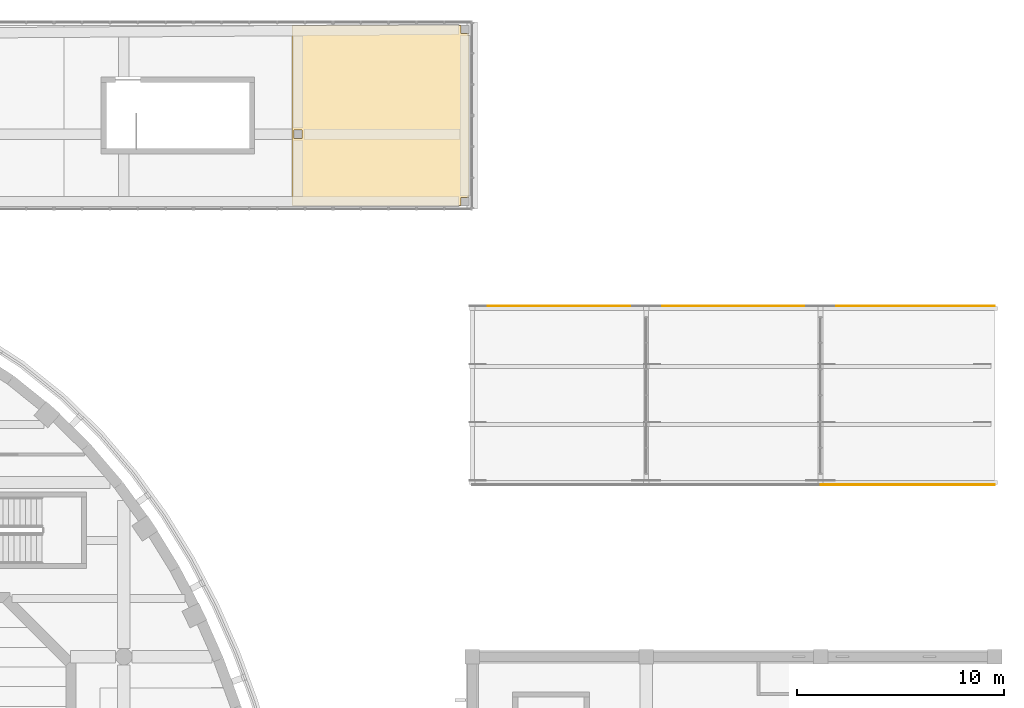
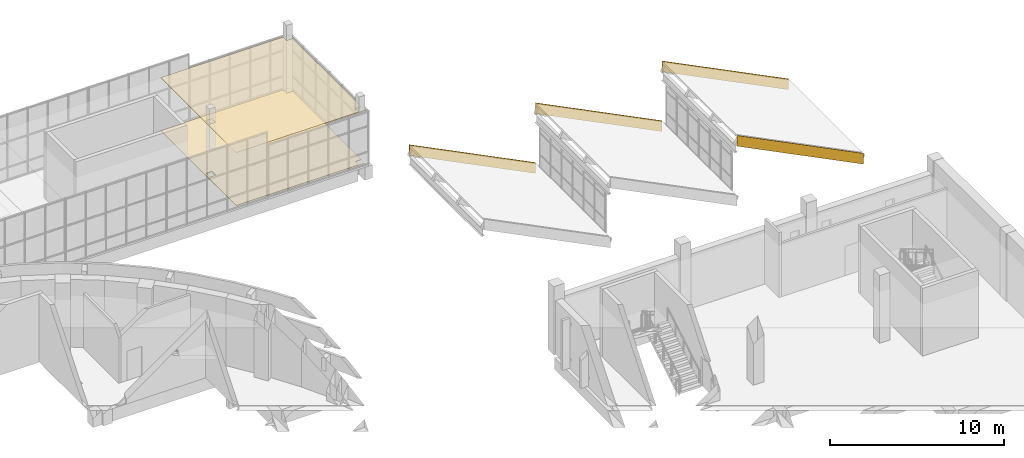
# One storey, part 103 of 103: 6 coverings.
"""IFC4 building model written with IfcOpenShell, lengths in metres."""

from ifc_helpers import new_model, si_unit, direction, frame, origin, place, context, subcontext, project, spatial, polyline, outline, extrude, material, layer, layer_set, type_object, element, save


model = new_model("IFC4")

# Units and contexts
model_context = context("Model", 3, precision=1e-05, world=origin(), true_north=direction((0.0, 1.0)))
body_context = subcontext(model_context, "Body", "Model", "MODEL_VIEW")
ifc_project = project(units=[si_unit("LENGTHUNIT", "METRE"), si_unit("AREAUNIT", "SQUARE_METRE"), si_unit("VOLUMEUNIT", "CUBIC_METRE"), si_unit("PLANEANGLEUNIT", "RADIAN"), si_unit("MASSUNIT", "GRAM", prefix="KILO")], contexts=[model_context])

# Site, building, storey
site_placement = place(None, origin())
site = spatial("IfcSite", under=ifc_project, at=site_placement, CompositionType="ELEMENT")
building_placement = place(site_placement, origin())
building = spatial("IfcBuilding", under=site, at=building_placement, Name="Larchfold Concert Hall", CompositionType="ELEMENT")
storey_placement = place(building_placement, frame((0.0, 0.0, 9.60009765625)))
storey = spatial("IfcBuildingStorey", under=building, at=storey_placement, Name="L02", CompositionType="ELEMENT", Elevation=9.60009765625)

# Coverings
ifc_material_1 = material(Name="Plasterboard ceiling lining")
ifc_layer_1 = layer(ifc_material_1, 0.030029296875)
ifc_layer_set_1 = layer_set([ifc_layer_1], Name="Plasterboard ceiling lining")
covering_type_1 = type_object("IfcCoveringType", Name="Ceiling suspended plasterboard 30", PredefinedType="CEILING", material=ifc_layer_set_1)
covering_1_placement = place(storey_placement, frame((0.0, 0.0, 3.719970703125)))
element("IfcCovering", 1, at=covering_1_placement, inside=storey, type_object=covering_type_1, Name="Ceiling Winter Garden Foyer North East", PredefinedType="CEILING", context=body_context, shape_type="SweptSolid", body=[
    extrude(outline(polyline([(67.49951171875, 131.85009765625), (67.49951171875, 123.14990234375), (76.050048828125, 123.14990234375), (75.650146484375, 123.150146484375), (75.650146484375, 123.550048828125), (76.050048828125, 123.550048828125), (76.050048828125, 131.449951171875), (75.650146484375, 131.449951171875), (75.650146484375, 131.849853515625), (76.050048828125, 131.85009765625), (67.49951171875, 131.85009765625)]), holes=[polyline([(67.60009765625, 126.400146484375), (67.60009765625, 126.800048828125), (68.0, 126.800048828125), (68.0, 126.400146484375), (67.60009765625, 126.400146484375)])]), origin(), (0.0, 0.0, 1.0), 0.030029296875),
])
ifc_material_2 = material(Name="Polished terrazzo")
ifc_layer_2 = layer(ifc_material_2, 0.0400390625)
ifc_layer_set_2 = layer_set([ifc_layer_2], Name="Polished terrazzo")
covering_type_2 = type_object("IfcCoveringType", Name="Floor finish terrazzo 40", PredefinedType="FLOORING", material=ifc_layer_set_2)
covering_2_placement = place(storey_placement, origin())
element("IfcCovering", 2, at=covering_2_placement, inside=storey, type_object=covering_type_2, Name="Floor finish Winter Garden Foyer North East", PredefinedType="FLOORING", context=body_context, shape_type="SweptSolid", body=[
    extrude(outline(polyline([(67.49951171875, 131.85009765625), (67.49951171875, 123.14990234375), (76.050048828125, 123.14990234375), (75.650146484375, 123.150146484375), (75.650146484375, 123.550048828125), (76.050048828125, 123.550048828125), (76.050048828125, 131.449951171875), (75.650146484375, 131.449951171875), (75.650146484375, 131.849853515625), (76.050048828125, 131.85009765625), (67.49951171875, 131.85009765625)]), holes=[polyline([(67.60009765625, 126.400146484375), (67.60009765625, 126.800048828125), (68.0, 126.800048828125), (68.0, 126.400146484375), (67.60009765625, 126.400146484375)])]), origin(), (0.0, 0.0, 1.0), 0.0400390625),
])
ifc_material_3 = material(Name="Anodised graphite aluminium fascia", Category="aluminium")
ifc_layer_3 = layer(ifc_material_3, 0.030029296875)
ifc_layer_set_3 = layer_set([ifc_layer_3], Name="Anodised graphite aluminium fascia")
covering_type_3 = type_object("IfcCoveringType", Name="Roof edge fascia 30", PredefinedType="CLADDING", material=ifc_layer_set_3)
covering_3_placement = place(storey_placement, frame((76.199951171875, 118.324951171875, 4.199951171875), z_axis=(0.0, 1.0, 0.0), x_axis=(0.89443239007, 0.0, -0.447203197209)))
element("IfcCovering", 3, at=covering_3_placement, inside=storey, type_object=covering_type_3, Name="Roof edge fascia RF020", PredefinedType="CLADDING", context=body_context, shape_type="SweptSolid", body=[
    extrude(outline(polyline([(0.0, 0.0), (9.39159468914049, 0.0), (9.728853155004431, 0.674536536358811), (0.33725846586394104, 0.6745365363588106), (0.0, 0.0)])), origin(), (0.0, 0.0, -1.0), 0.030029296875),
])
for number, where, z_axis, x_axis, name in (
    (4, (84.60009765625, 118.324951171875, 4.199951171875), (0.0, 1.0, 0.0), (0.894427191, 0.0, -0.4472135955), "Roof edge fascia RF021"),
    (5, (93.0, 118.324951171875, 4.199951171875), (0.0, 1.0, 0.0), (0.894427191, 0.0, -0.4472135955), "Roof edge fascia RF022"),
):
    element("IfcCovering", number, at=place(storey_placement, frame(where, z_axis=z_axis, x_axis=x_axis)), inside=storey, type_object=covering_type_3, Name=name, PredefinedType="CLADDING", context=body_context, shape_type="SweptSolid", body=[
        extrude(outline(polyline([(0.0, 0.0), (9.391376322492404, 0.0), (9.728642630231509, 0.6745326154782081), (0.33726630773910404, 0.6745326154782081), (0.0, 0.0)])), origin(), (0.0, 0.0, -1.0), 0.030029296875),
    ])
covering_4_placement = place(storey_placement, frame((93.0, 109.675048828125, 3.44580078125), z_axis=(0.0, -1.0, 0.0), x_axis=(0.894427191, 0.0, -0.4472135955)))
element("IfcCovering", 6, at=covering_4_placement, inside=storey, type_object=covering_type_3, Name="Roof edge fascia RF028", PredefinedType="CLADDING", context=body_context, shape_type="SweptSolid", body=[
    extrude(outline(polyline([(0.0, 0.0), (9.391376322492404, 0.0), (9.0541100147533, 0.6745326154782081), (-0.33726630773910404, 0.6745326154782081), (0.0, 0.0)])), origin(), (0.0, 0.0, -1.0), 0.030029296875),
])

save(model, "model.ifc")
